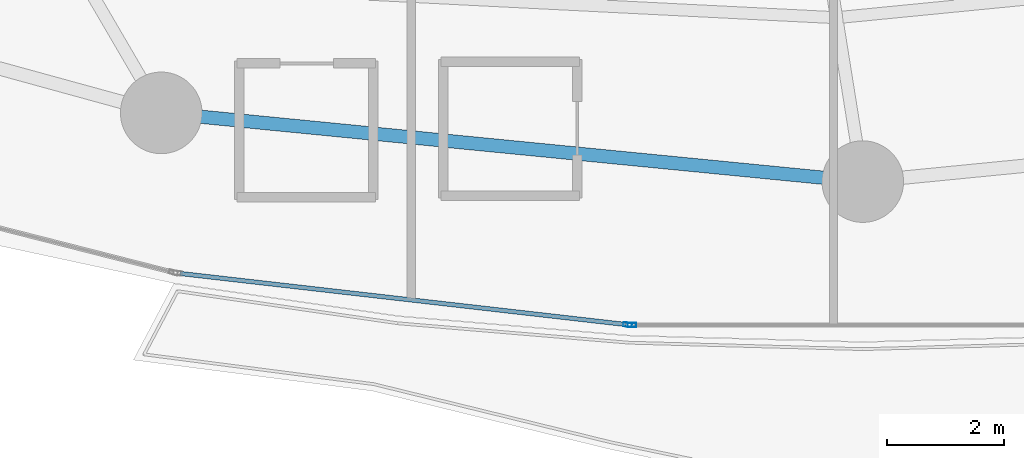
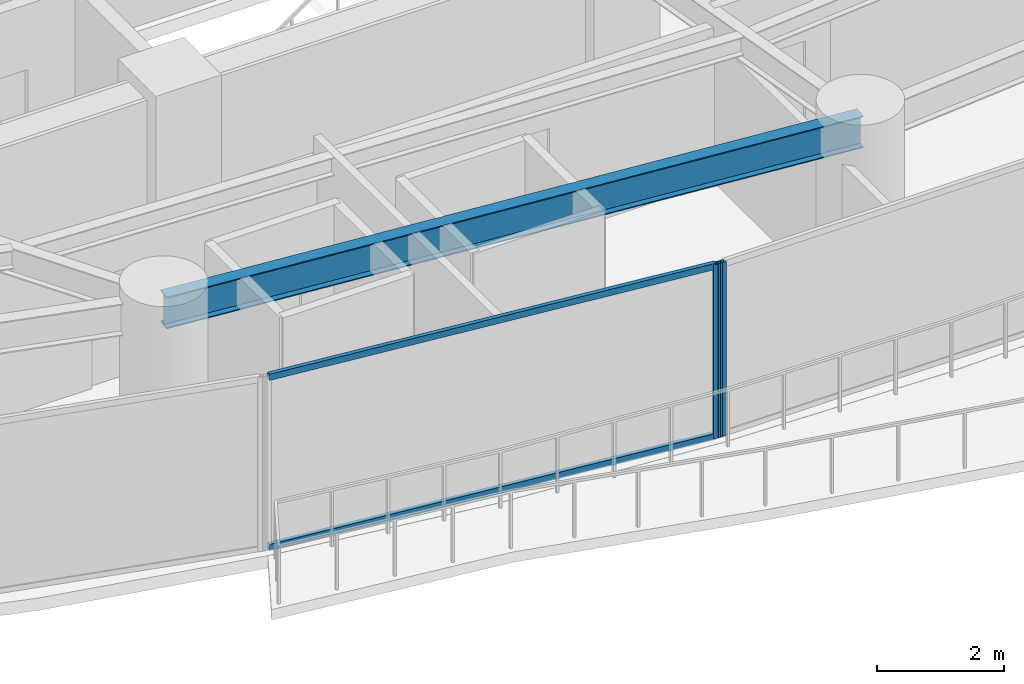
# One storey, part 6 of 32: 4 members, 1 beam, 2 elements without a shape of their own.
"""IFC4 building model written with IfcOpenShell, lengths in metres."""

from ifc_helpers import new_model, si_unit, direction, frame, origin, origin_2d, place, context, subcontext, project, spatial, hollow_rectangle, i_section, extrude, material, layer, layer_set, material_profile, profile_set, type_object, element, aggregate, save


model = new_model("IFC4")

# Units and contexts
model_context = context("Model", 3, precision=1e-05, world=origin(), true_north=direction((0.0, 1.0)))
body_context = subcontext(model_context, "Body", "Model", "MODEL_VIEW")
ifc_project = project(units=[si_unit("LENGTHUNIT", "METRE"), si_unit("AREAUNIT", "SQUARE_METRE"), si_unit("VOLUMEUNIT", "CUBIC_METRE"), si_unit("PLANEANGLEUNIT", "RADIAN"), si_unit("MASSUNIT", "GRAM", prefix="KILO")], contexts=[model_context])

# Site, building, storey
site_placement = place(None, origin())
site = spatial("IfcSite", under=ifc_project, at=site_placement, CompositionType="ELEMENT")
building_placement = place(site_placement, origin())
building = spatial("IfcBuilding", under=site, at=building_placement, Name="Kazevale Care Tower and Concert Hall", CompositionType="ELEMENT")
storey_placement = place(building_placement, frame((0.0, 0.0, 34.800048828125)))
storey = spatial("IfcBuildingStorey", under=building, at=storey_placement, Name="L08", CompositionType="ELEMENT", Elevation=34.800048828125)

# Curtain wall, member
ifc_material_1 = material(Name="Aluminium 6063-T6 and Low-E Glass", Category="aluminium")
ifc_layer = layer(ifc_material_1, 0.179931640625)
ifc_layer_set = layer_set([ifc_layer], Name="Aluminium 6063-T6 and Low-E Glass")
curtain_wall_type = type_object("IfcCurtainWallType", Name="Sheltered Concave Balcony Curtain Wall CW-5", PredefinedType="NOTDEFINED", material=ifc_layer_set)
curtain_wall_1_placement = place(storey_placement, origin())
curtain_wall_1 = element("IfcCurtainWall", 1, at=curtain_wall_1_placement, inside=storey, type_object=curtain_wall_type, Name="cw:L08:f06", PredefinedType="NOTDEFINED")
ifc_material_2 = material(Name="Aluminium 6063-T6", Category="aluminium")
ifc_material_profile_1 = material_profile(ifc_material_2, hollow_rectangle(XDim=0.074951171875, YDim=0.14990234375, WallThickness=0.00390625, at=origin_2d()), Name="ALU75x150x4")
ifc_profile_set_1 = profile_set([ifc_material_profile_1], Name="Aluminium 6063-T6")
member_type_1 = type_object("IfcMemberType", Name="CW-5 Mullion ALU75x150x4", PredefinedType="MULLION", material=ifc_profile_set_1)
member_1_placement = place(storey_placement, frame((41.03955078125, 14.889892578125, 0.0), z_axis=(0.0, 0.0, 1.0), x_axis=(0.0, -1.0, 0.0)))
member_1 = element("IfcMember", 2, at=member_1_placement, type_object=member_type_1, Name="CW-5 mullion 2", PredefinedType="MULLION", context=body_context, shape_type="SweptSolid", body=[
    extrude(hollow_rectangle(XDim=0.074951171875, YDim=0.14990234375, WallThickness=0.00390625, at=origin_2d()), origin(), (0.0, 0.0, 1.0), 3.35986328125),
])
aggregate(curtain_wall_1, [member_1])

# Curtain wall, members
curtain_wall_2_placement = place(storey_placement, origin())
curtain_wall_2 = element("IfcCurtainWall", 3, at=curtain_wall_2_placement, inside=storey, type_object=curtain_wall_type, Name="cw:L08:f07", PredefinedType="NOTDEFINED")
member_2_placement = place(storey_placement, frame((40.96484375, 14.894287109375, 0.0), z_axis=(0.0, 0.0, 1.0), x_axis=(-0.113704773808, -0.993514581883, 0.0)))
member_2 = element("IfcMember", 4, at=member_2_placement, type_object=member_type_1, Name="CW-5 mullion 1", PredefinedType="MULLION", context=body_context, shape_type="SweptSolid", body=[
    extrude(hollow_rectangle(XDim=0.074951171875, YDim=0.14990234375, WallThickness=0.00390625, at=origin_2d()), origin(), (0.0, 0.0, 1.0), 3.35986328125),
])
ifc_material_profile_2 = material_profile(ifc_material_2, hollow_rectangle(XDim=0.074951171875, YDim=0.1201171875, WallThickness=0.00390625, at=origin_2d()), Name="ALU75x120x4")
ifc_profile_set_2 = profile_set([ifc_material_profile_2], Name="Aluminium 6063-T6")
member_type_2 = type_object("IfcMemberType", Name="CW-5 Transom ALU75x120x4", PredefinedType="USERDEFINED", material=ifc_profile_set_2)
member_3_placement = place(storey_placement, frame((40.927490234375, 14.8984375, 0.037353515625), z_axis=(-0.993513842403, 0.113711234948, 0.0), x_axis=(-0.113711234948, -0.993513842403, 0.0)))
member_3 = element("IfcMember", 5, at=member_3_placement, type_object=member_type_2, Name="CW-5 transom 1.1", ObjectType="TRANSOM", PredefinedType="USERDEFINED", context=body_context, shape_type="SweptSolid", body=[
    extrude(hollow_rectangle(XDim=0.074951171875, YDim=0.1201171875, WallThickness=0.00390625, at=origin_2d()), origin(), (0.0, 0.0, 1.0), 7.69482421875),
])
member_4_placement = place(storey_placement, frame((40.927490234375, 14.8984375, 3.322509765625), z_axis=(-0.993513842403, 0.113711234948, 0.0), x_axis=(-0.113711234948, -0.993513842403, 0.0)))
member_4 = element("IfcMember", 6, at=member_4_placement, type_object=member_type_2, Name="CW-5 transom 1.2", ObjectType="TRANSOM", PredefinedType="USERDEFINED", context=body_context, shape_type="SweptSolid", body=[
    extrude(hollow_rectangle(XDim=0.074951171875, YDim=0.1201171875, WallThickness=0.00390625, at=origin_2d()), origin(), (0.0, 0.0, 1.0), 7.69482421875),
])
aggregate(curtain_wall_2, [member_2, member_3, member_4])

# Beam
ifc_material_3 = material(Name="Steel ASTM A572 Gr 50", Category="steel")
ifc_material_profile_3 = material_profile(ifc_material_3, i_section(OverallWidth=0.22900390625, OverallDepth=0.612060546875, WebThickness=0.011962890625, FlangeThickness=0.01953125, at=origin_2d()), Name="W610x125")
ifc_profile_set_3 = profile_set([ifc_material_profile_3], Name="Steel ASTM A572 Gr 50")
beam_type = type_object("IfcBeamType", Name="Ring Spandrel Beam W610x125", PredefinedType="SPANDREL", material=ifc_profile_set_3)
beam_placement = place(storey_placement, frame((32.9599609375, 18.530029296875, 3.053955078125), z_axis=(0.995232251602, -0.09753340644, 0.0), x_axis=(0.09753340644, 0.995232251602, 0.0)))
element("IfcBeam", 7, at=beam_placement, inside=storey, type_object=beam_type, Name="beam:L08:ring:12", PredefinedType="SPANDREL", context=body_context, shape_type="SweptSolid", body=[
    extrude(i_section(OverallWidth=0.22900390625, OverallDepth=0.612060546875, WebThickness=0.011962890625, FlangeThickness=0.01953125, at=origin_2d()), origin(), (0.0, 0.0, 1.0), 12.09765625),
])

save(model, "model.ifc")
